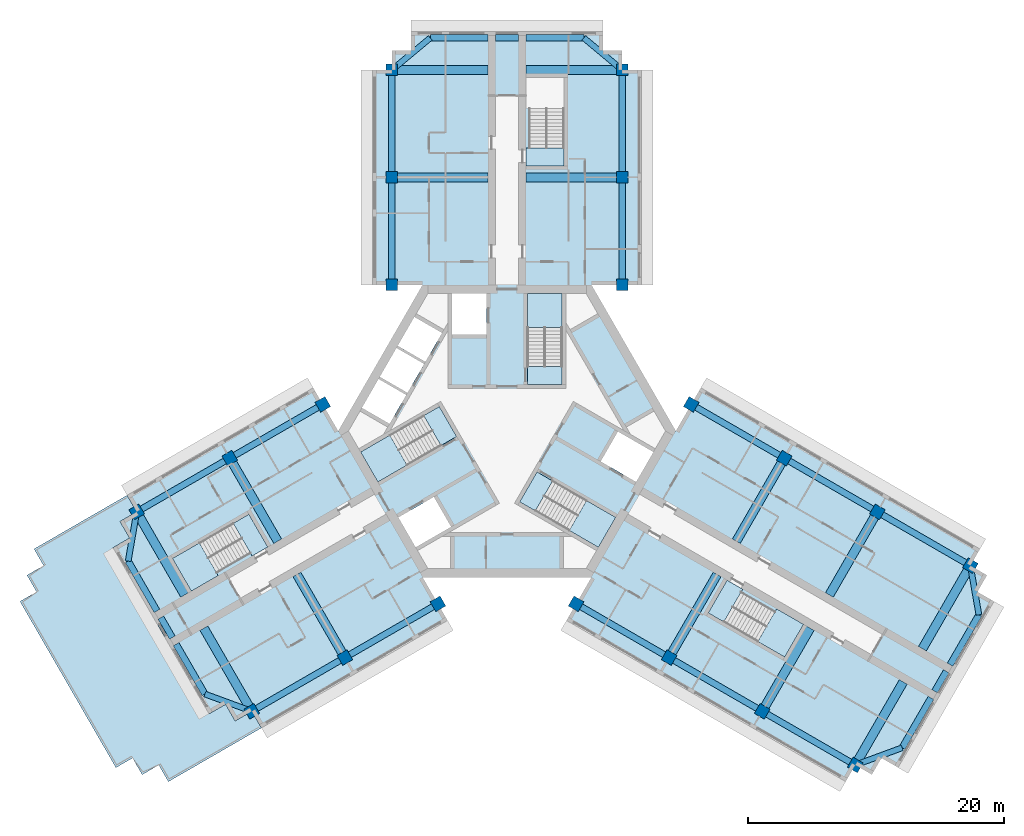
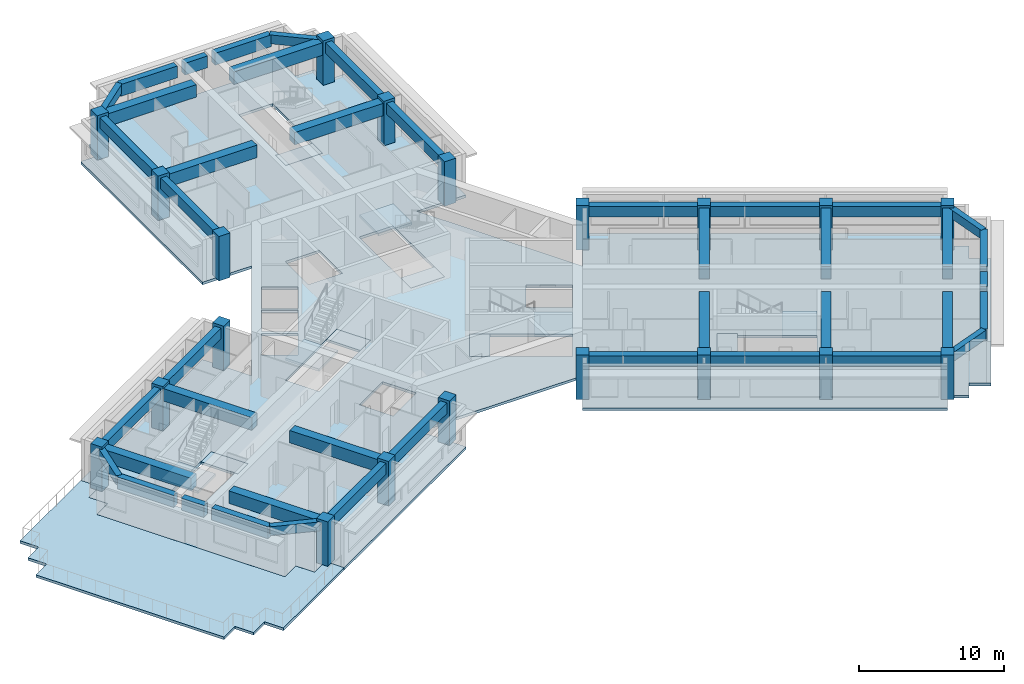
# One storey, part 1 of 11: 43 beams, 20 columns, 13 slabs, 6 elements without a shape of their own.
"""IFC4 building model written with IfcOpenShell, lengths in metres."""

from ifc_helpers import new_model, si_unit, direction, frame, origin, origin_2d, place, context, subcontext, project, spatial, polyline, rectangle, outline, extrude, material, layer, layer_set, material_profile, profile_set, type_object, element, aggregate, save


model = new_model("IFC4")

# Units and contexts
model_context = context("Model", 3, precision=1e-05, world=origin(), true_north=direction((0.0, 1.0)))
body_context = subcontext(model_context, "Body", "Model", "MODEL_VIEW")
ifc_project = project(units=[si_unit("LENGTHUNIT", "METRE"), si_unit("AREAUNIT", "SQUARE_METRE"), si_unit("VOLUMEUNIT", "CUBIC_METRE"), si_unit("PLANEANGLEUNIT", "RADIAN"), si_unit("MASSUNIT", "GRAM", prefix="KILO")], contexts=[model_context])

# Site, building, storey
site_placement = place(None, origin())
site = spatial("IfcSite", under=ifc_project, at=site_placement, CompositionType="ELEMENT")
building_placement = place(site_placement, origin())
building = spatial("IfcBuilding", under=site, at=building_placement, Name="Impinga Residences", CompositionType="ELEMENT")
storey_placement = place(building_placement, frame((0.0, 0.0, 218.5)))
storey = spatial("IfcBuildingStorey", under=building, at=storey_placement, Name="L54", CompositionType="ELEMENT", Elevation=218.5)

# Columns
ifc_material_1 = material(Name="Concrete C60/75", Category="concrete")
ifc_material_profile_1 = material_profile(ifc_material_1, rectangle(XDim=0.89990234375, YDim=0.89990234375, at=origin_2d()), Name="RC 900x900")
ifc_profile_set_1 = profile_set([ifc_material_profile_1], Name="Concrete C60/75")
column_type = type_object("IfcColumnType", Name="C4 900x900 column", PredefinedType="COLUMN", material=ifc_profile_set_1)
for number, where, z_axis, x_axis, name in (
    (1, (-9.0, 11.431640625, 0.0), (0.0, 0.0, 1.0), (1.0, 0.0, 0.0), "Column C4 N1/NA L54"),
    (2, (9.0, 11.431640625, 0.0), (0.0, 0.0, 1.0), (1.0, 0.0, 0.0), "Column C4 N1/NF L54"),
    (3, (-9.0, 19.83154296875, 0.0), (0.0, 0.0, 1.0), (1.0, 0.0, 0.0), "Column C4 N2/NA L54"),
    (4, (9.0, 19.83154296875, 0.0), (0.0, 0.0, 1.0), (1.0, 0.0, 0.0), "Column C4 N2/NF L54"),
    (5, (-9.0, 28.2314453125, 0.0), (0.0, 0.0, 1.0), (1.0, 0.0, 0.0), "Column C4 N3/NA L54"),
    (6, (9.0, 28.2314453125, 0.0), (0.0, 0.0, 1.0), (1.0, 0.0, 0.0), "Column C4 N3/NF L54"),
    (7, (-5.39990234375, -13.510009765625, 0.0), (0.0, 0.0, 1.0), (-0.5, 0.866025403784, 0.0), "Column C4 W1/WA L54"),
    (8, (-14.39990234375, 2.078369140625, 0.0), (0.0, 0.0, 1.0), (-0.5, 0.866025403784, 0.0), "Column C4 W1/WF L54"),
    (9, (-12.674560546875, -17.7099609375, 0.0), (0.0, 0.0, 1.0), (-0.5, 0.866025403784, 0.0), "Column C4 W2/WA L54"),
    (10, (-21.674560546875, -2.12158203125, 0.0), (0.0, 0.0, 1.0), (-0.5, 0.866025403784, 0.0), "Column C4 W2/WF L54"),
    (11, (-19.94921875, -21.909912109375, 0.0), (0.0, 0.0, 1.0), (-0.5, 0.866025403784, 0.0), "Column C4 W3/WA L54"),
    (12, (-28.94921875, -6.321533203125, 0.0), (0.0, 0.0, 1.0), (-0.5, 0.866025403784, 0.0), "Column C4 W3/WF L54"),
    (13, (14.39990234375, 2.078369140625, 0.0), (0.0, 0.0, 1.0), (-0.5, -0.866025403784, 0.0), "Column C4 E1/EA L54"),
    (14, (5.39990234375, -13.510009765625, 0.0), (0.0, 0.0, 1.0), (-0.5, -0.866025403784, 0.0), "Column C4 E1/EF L54"),
    (15, (21.674560546875, -2.12158203125, 0.0), (0.0, 0.0, 1.0), (-0.5, -0.866025403784, 0.0), "Column C4 E2/EA L54"),
    (16, (12.674560546875, -17.7099609375, 0.0), (0.0, 0.0, 1.0), (-0.5, -0.866025403784, 0.0), "Column C4 E2/EF L54"),
    (17, (28.94921875, -6.321533203125, 0.0), (0.0, 0.0, 1.0), (-0.5, -0.866025403784, 0.0), "Column C4 E3/EA L54"),
    (18, (19.94921875, -21.909912109375, 0.0), (0.0, 0.0, 1.0), (-0.5, -0.866025403784, 0.0), "Column C4 E3/EF L54"),
    (19, (36.223876953125, -10.521484375, 0.0), (0.0, 0.0, 1.0), (-0.5, -0.866025403784, 0.0), "Column C4 E4/EA L54"),
    (20, (27.223876953125, -26.110107421875, 0.0), (0.0, 0.0, 1.0), (-0.5, -0.866025403784, 0.0), "Column C4 E4/EF L54"),
):
    element("IfcColumn", number, at=place(storey_placement, frame(where, z_axis=z_axis, x_axis=x_axis)), inside=storey, type_object=column_type, Name=name, PredefinedType="COLUMN", context=body_context, shape_type="SweptSolid", body=[
        extrude(rectangle(XDim=0.89990234375, YDim=0.89990234375, at=origin_2d()), origin(), (0.0, 0.0, 1.0), 3.75),
    ])

# Beams
ifc_material_profile_2 = material_profile(ifc_material_1, rectangle(XDim=0.449951171875, YDim=0.75, at=origin_2d()), Name="RC 450x750")
ifc_profile_set_2 = profile_set([ifc_material_profile_2], Name="Concrete C60/75")
beam_type_1 = type_object("IfcBeamType", Name="CB1 450x750 wing end cantilever beam", PredefinedType="BEAM", material=ifc_profile_set_2)
for number, where, z_axis, x_axis, name in (
    (21, (-9.0, 28.2314453125, 3.155029296875), (0.768221279597, 0.640184399664, 0.0), (-0.640184399664, 0.768221279597, 0.0), "Beam CB1 NB N3-NX level L55"),
    (22, (9.0, 28.2314453125, 3.155029296875), (-0.768221279597, 0.640184399664, 0.0), (-0.640184399664, -0.768221279597, 0.0), "Beam CB1 NE N3-NX level L55"),
    (23, (-19.94921875, -21.909912109375, 3.155029296875), (-0.93854043338, 0.345169313396, 0.0), (-0.345169313396, -0.93854043338, 0.0), "Beam CB1 WB W3-WX level L55"),
):
    element("IfcBeam", number, at=place(storey_placement, frame(where, z_axis=z_axis, x_axis=x_axis)), inside=storey, type_object=beam_type_1, Name=name, PredefinedType="BEAM", context=body_context, shape_type="SweptSolid", body=[
        extrude(rectangle(XDim=0.449951171875, YDim=0.75, at=origin_2d()), origin(), (0.0, 0.0, 1.0), 3.905029296875),
    ])
for number, where, z_axis, x_axis, name in (
    (24, (-28.94921875, -6.321533203125, 3.155029296875), (-0.170296298948, -0.985392901621, 0.0), (0.985392901621, -0.170296298948, 0.0), "Beam CB1 WE W3-WX level L55"),
    (25, (36.223876953125, -10.521484375, 3.155029296875), (0.170296298948, -0.985392901621, 0.0), (0.985392901621, 0.170296298948, 0.0), "Beam CB1 EB E4-EX level L55"),
):
    element("IfcBeam", number, at=place(storey_placement, frame(where, z_axis=z_axis, x_axis=x_axis)), inside=storey, type_object=beam_type_1, Name=name, PredefinedType="BEAM", context=body_context, shape_type="SweptSolid", body=[
        extrude(rectangle(XDim=0.449951171875, YDim=0.75, at=origin_2d()), origin(), (0.0, 0.0, 1.0), 3.9052734375),
    ])
beam_1_placement = place(storey_placement, frame((27.223876953125, -26.110107421875, 3.155029296875), z_axis=(0.938520178725, 0.345224382289, 0.0), x_axis=(-0.345224382289, 0.938520178725, 0.0)))
element("IfcBeam", 26, at=beam_1_placement, inside=storey, type_object=beam_type_1, Name="Beam CB1 EE E4-EX level L55", PredefinedType="BEAM", context=body_context, shape_type="SweptSolid", body=[
    extrude(rectangle(XDim=0.449951171875, YDim=0.75, at=origin_2d()), origin(), (0.0, 0.0, 1.0), 3.905029296875),
])
ifc_material_profile_3 = material_profile(ifc_material_1, rectangle(XDim=0.699951171875, YDim=1.050048828125, at=origin_2d()), Name="RC 700x1050")
ifc_profile_set_3 = profile_set([ifc_material_profile_3], Name="Concrete C60/75")
beam_type_2 = type_object("IfcBeamType", Name="CG1 700x1050 cross girder on a wing bay line", PredefinedType="BEAM", material=ifc_profile_set_3)
for number, where, z_axis, x_axis, name in (
    (27, (-1.5, 19.83154296875, 3.0048828125), (-1.0, 0.0, 0.0), (0.0, -1.0, 0.0), "Beam CG1 N2 NC/NA level L55"),
    (28, (-1.5, 28.2314453125, 3.0048828125), (-1.0, 0.0, 0.0), (0.0, -1.0, 0.0), "Beam CG1 N3 NC/NA level L55"),
    (29, (1.5, 19.83154296875, 3.0048828125), (1.0, 0.0, 0.0), (0.0, 1.0, 0.0), "Beam CG1 N2 NC/NF level L55"),
    (30, (1.5, 28.2314453125, 3.0048828125), (1.0, 0.0, 0.0), (0.0, 1.0, 0.0), "Beam CG1 N3 NC/NF level L55"),
    (31, (-16.424560546875, -11.21484375, 3.0048828125), (0.500004234368, -0.866022959057, 0.0), (0.866022959057, 0.500004234368, 0.0), "Beam CG1 W2 WC/WA level L55"),
    (32, (-23.69921875, -15.414794921875, 3.0048828125), (0.500004234368, -0.866022959057, 0.0), (0.866022959057, 0.500004234368, 0.0), "Beam CG1 W3 WC/WA level L55"),
    (33, (-17.924560546875, -8.61669921875, 3.0048828125), (-0.500004234368, 0.866022959057, 0.0), (-0.866022959057, -0.500004234368, 0.0), "Beam CG1 W2 WC/WF level L55"),
    (34, (-25.19921875, -12.816650390625, 3.0048828125), (-0.500004234368, 0.866022959057, 0.0), (-0.866022959057, -0.500004234368, 0.0), "Beam CG1 W3 WC/WF level L55"),
    (35, (17.924560546875, -8.61669921875, 3.0048828125), (0.500004234368, 0.866022959057, 0.0), (-0.866022959057, 0.500004234368, 0.0), "Beam CG1 E2 EC/EA level L55"),
    (36, (25.19921875, -12.816650390625, 3.0048828125), (0.500004234368, 0.866022959057, 0.0), (-0.866022959057, 0.500004234368, 0.0), "Beam CG1 E3 EC/EA level L55"),
):
    element("IfcBeam", number, at=place(storey_placement, frame(where, z_axis=z_axis, x_axis=x_axis)), inside=storey, type_object=beam_type_2, Name=name, PredefinedType="BEAM", context=body_context, shape_type="SweptSolid", body=[
        extrude(rectangle(XDim=0.699951171875, YDim=1.050048828125, at=origin_2d()), origin(), (0.0, 0.0, 1.0), 7.5),
    ])
beam_2_placement = place(storey_placement, frame((32.473876953125, -17.016845703125, 3.0048828125), z_axis=(0.499990139034, 0.866031096941, 0.0), x_axis=(-0.866031096941, 0.499990139034, 0.0)))
element("IfcBeam", 37, at=beam_2_placement, inside=storey, type_object=beam_type_2, Name="Beam CG1 E4 EC/EA level L55", PredefinedType="BEAM", context=body_context, shape_type="SweptSolid", body=[
    extrude(rectangle(XDim=0.699951171875, YDim=1.050048828125, at=origin_2d()), origin(), (0.0, 0.0, 1.0), 7.500244140625),
])
for number, where, z_axis, x_axis, name in (
    (38, (16.424560546875, -11.21484375, 3.0048828125), (-0.500004234368, -0.866022959057, 0.0), (0.866022959057, -0.500004234368, 0.0), "Beam CG1 E2 EC/EF level L55"),
    (39, (23.69921875, -15.414794921875, 3.0048828125), (-0.500004234368, -0.866022959057, 0.0), (0.866022959057, -0.500004234368, 0.0), "Beam CG1 E3 EC/EF level L55"),
):
    element("IfcBeam", number, at=place(storey_placement, frame(where, z_axis=z_axis, x_axis=x_axis)), inside=storey, type_object=beam_type_2, Name=name, PredefinedType="BEAM", context=body_context, shape_type="SweptSolid", body=[
        extrude(rectangle(XDim=0.699951171875, YDim=1.050048828125, at=origin_2d()), origin(), (0.0, 0.0, 1.0), 7.5),
    ])
beam_3_placement = place(storey_placement, frame((30.973876953125, -19.61474609375, 3.0048828125), z_axis=(-0.499990139034, -0.866031096941, 0.0), x_axis=(0.866031096941, -0.499990139034, 0.0)))
element("IfcBeam", 40, at=beam_3_placement, inside=storey, type_object=beam_type_2, Name="Beam CG1 E4 EC/EF level L55", PredefinedType="BEAM", context=body_context, shape_type="SweptSolid", body=[
    extrude(rectangle(XDim=0.699951171875, YDim=1.050048828125, at=origin_2d()), origin(), (0.0, 0.0, 1.0), 7.500244140625),
])
ifc_material_profile_4 = material_profile(ifc_material_1, rectangle(XDim=0.5, YDim=1.0, at=origin_2d()), Name="RC 500x1000")
ifc_profile_set_4 = profile_set([ifc_material_profile_4], Name="Concrete C60/75")
beam_type_3 = type_object("IfcBeamType", Name="EB1 500x1000 wing end beam", PredefinedType="BEAM", material=ifc_profile_set_4)
beam_4_placement = place(storey_placement, frame((-6.0, 30.7314453125, 3.030029296875), z_axis=(1.0, 0.0, 0.0), x_axis=(0.0, 1.0, 0.0)))
element("IfcBeam", 41, at=beam_4_placement, inside=storey, type_object=beam_type_3, Name="Beam EB1 NX2 level L55", PredefinedType="BEAM", context=body_context, shape_type="SweptSolid", body=[
    extrude(rectangle(XDim=0.5, YDim=1.0, at=origin_2d()), origin(), (0.0, 0.0, 1.0), 4.5),
])
beam_5_placement = place(storey_placement, frame((-0.89990234375, 30.7314453125, 3.030029296875), z_axis=(1.0, 0.0, 0.0), x_axis=(0.0, 1.0, 0.0)))
element("IfcBeam", 42, at=beam_5_placement, inside=storey, type_object=beam_type_3, Name="Beam EB1 NX2 level L55", PredefinedType="BEAM", context=body_context, shape_type="SweptSolid", body=[
    extrude(rectangle(XDim=0.5, YDim=1.0, at=origin_2d()), origin(), (0.0, 0.0, 1.0), 1.7998046875),
])
for number, where, z_axis, x_axis, name in (
    (43, (1.5, 30.7314453125, 3.030029296875), (1.0, 0.0, 0.0), (0.0, 1.0, 0.0), "Beam EB1 NX2 level L55"),
    (44, (-23.6142578125, -20.56201171875, 3.030029296875), (-0.499990139034, 0.866031096941, 0.0), (-0.866031096941, -0.499990139034, 0.0), "Beam EB1 WX2 level L55"),
):
    element("IfcBeam", number, at=place(storey_placement, frame(where, z_axis=z_axis, x_axis=x_axis)), inside=storey, type_object=beam_type_3, Name=name, PredefinedType="BEAM", context=body_context, shape_type="SweptSolid", body=[
        extrude(rectangle(XDim=0.5, YDim=1.0, at=origin_2d()), origin(), (0.0, 0.0, 1.0), 4.5),
    ])
beam_6_placement = place(storey_placement, frame((-26.164306640625, -16.145263671875, 3.030029296875), z_axis=(-0.499961193289, 0.866047807691, 0.0), x_axis=(-0.866047807691, -0.499961193289, 0.0)))
element("IfcBeam", 45, at=beam_6_placement, inside=storey, type_object=beam_type_3, Name="Beam EB1 WX2 level L55", PredefinedType="BEAM", context=body_context, shape_type="SweptSolid", body=[
    extrude(rectangle(XDim=0.5, YDim=1.0, at=origin_2d()), origin(), (0.0, 0.0, 1.0), 1.800048828125),
])
beam_7_placement = place(storey_placement, frame((-27.3642578125, -14.066650390625, 3.030029296875), z_axis=(-0.500013631625, 0.866017533419, 0.0), x_axis=(-0.866017533419, -0.500013631625, 0.0)))
element("IfcBeam", 46, at=beam_7_placement, inside=storey, type_object=beam_type_3, Name="Beam EB1 WX2 level L55", PredefinedType="BEAM", context=body_context, shape_type="SweptSolid", body=[
    extrude(rectangle(XDim=0.5, YDim=1.0, at=origin_2d()), origin(), (0.0, 0.0, 1.0), 4.499755859375),
])
beam_8_placement = place(storey_placement, frame((36.888916015625, -14.36962890625, 3.030029296875), z_axis=(-0.499990139034, -0.866031096941, 0.0), x_axis=(0.866031096941, -0.499990139034, 0.0)))
element("IfcBeam", 47, at=beam_8_placement, inside=storey, type_object=beam_type_3, Name="Beam EB1 EX3 level L55", PredefinedType="BEAM", context=body_context, shape_type="SweptSolid", body=[
    extrude(rectangle(XDim=0.5, YDim=1.0, at=origin_2d()), origin(), (0.0, 0.0, 1.0), 4.5),
])
beam_9_placement = place(storey_placement, frame((34.3388671875, -18.786376953125, 3.030029296875), z_axis=(-0.499961193289, -0.866047807691, 0.0), x_axis=(0.866047807691, -0.499961193289, 0.0)))
element("IfcBeam", 48, at=beam_9_placement, inside=storey, type_object=beam_type_3, Name="Beam EB1 EX3 level L55", PredefinedType="BEAM", context=body_context, shape_type="SweptSolid", body=[
    extrude(rectangle(XDim=0.5, YDim=1.0, at=origin_2d()), origin(), (0.0, 0.0, 1.0), 1.800048828125),
])
beam_10_placement = place(storey_placement, frame((33.138916015625, -20.86474609375, 3.030029296875), z_axis=(-0.499990139034, -0.866031096941, 0.0), x_axis=(0.866031096941, -0.499990139034, 0.0)))
element("IfcBeam", 49, at=beam_10_placement, inside=storey, type_object=beam_type_3, Name="Beam EB1 EX3 level L55", PredefinedType="BEAM", context=body_context, shape_type="SweptSolid", body=[
    extrude(rectangle(XDim=0.5, YDim=1.0, at=origin_2d()), origin(), (0.0, 0.0, 1.0), 4.5),
])
ifc_material_profile_5 = material_profile(ifc_material_1, rectangle(XDim=0.5, YDim=0.89990234375, at=origin_2d()), Name="RC 500x900")
ifc_profile_set_5 = profile_set([ifc_material_profile_5], Name="Concrete C60/75")
beam_type_4 = type_object("IfcBeamType", Name="SB1 500x900 perimeter spandrel beam", PredefinedType="SPANDREL", material=ifc_profile_set_5)
for number, where, z_axis, x_axis, name in (
    (50, (-9.0, 11.431640625, 3.080078125), (0.0, 1.0, 0.0), (-1.0, 0.0, 0.0), "Beam SB1 NA N1-N2 level L55"),
    (51, (-9.0, 19.83154296875, 3.080078125), (0.0, 1.0, 0.0), (-1.0, 0.0, 0.0), "Beam SB1 NA N2-N3 level L55"),
    (52, (9.0, 11.431640625, 3.080078125), (0.0, 1.0, 0.0), (-1.0, 0.0, 0.0), "Beam SB1 NF N1-N2 level L55"),
    (53, (9.0, 19.83154296875, 3.080078125), (0.0, 1.0, 0.0), (-1.0, 0.0, 0.0), "Beam SB1 NF N2-N3 level L55"),
    (54, (-5.39990234375, -13.510009765625, 3.080078125), (-0.86602925447, -0.499993330357, 0.0), (0.499993330357, -0.86602925447, 0.0), "Beam SB1 WA W1-W2 level L55"),
    (55, (-12.674560546875, -17.7099609375, 3.080078125), (-0.86602925447, -0.499993330357, 0.0), (0.499993330357, -0.86602925447, 0.0), "Beam SB1 WA W2-W3 level L55"),
    (56, (-14.39990234375, 2.078369140625, 3.080078125), (-0.86602925447, -0.499993330357, 0.0), (0.499993330357, -0.86602925447, 0.0), "Beam SB1 WF W1-W2 level L55"),
    (57, (-21.674560546875, -2.12158203125, 3.080078125), (-0.86602925447, -0.499993330357, 0.0), (0.499993330357, -0.86602925447, 0.0), "Beam SB1 WF W2-W3 level L55"),
    (58, (14.39990234375, 2.078369140625, 3.080078125), (0.86602925447, -0.499993330357, 0.0), (0.499993330357, 0.86602925447, 0.0), "Beam SB1 EA E1-E2 level L55"),
    (59, (21.674560546875, -2.12158203125, 3.080078125), (0.86602925447, -0.499993330357, 0.0), (0.499993330357, 0.86602925447, 0.0), "Beam SB1 EA E2-E3 level L55"),
    (60, (28.94921875, -6.321533203125, 3.080078125), (0.86602925447, -0.499993330357, 0.0), (0.499993330357, 0.86602925447, 0.0), "Beam SB1 EA E3-E4 level L55"),
    (61, (5.39990234375, -13.510009765625, 3.080078125), (0.86602925447, -0.499993330357, 0.0), (0.499993330357, 0.86602925447, 0.0), "Beam SB1 EF E1-E2 level L55"),
    (62, (12.674560546875, -17.7099609375, 3.080078125), (0.86602925447, -0.499993330357, 0.0), (0.499993330357, 0.86602925447, 0.0), "Beam SB1 EF E2-E3 level L55"),
):
    element("IfcBeam", number, at=place(storey_placement, frame(where, z_axis=z_axis, x_axis=x_axis)), inside=storey, type_object=beam_type_4, Name=name, PredefinedType="SPANDREL", context=body_context, shape_type="SweptSolid", body=[
        extrude(rectangle(XDim=0.5, YDim=0.89990234375, at=origin_2d()), origin(), (0.0, 0.0, 1.0), 8.39990234375),
    ])
beam_11_placement = place(storey_placement, frame((19.94921875, -21.909912109375, 3.080078125), z_axis=(0.866016669275, -0.500015128309, 0.0), x_axis=(0.500015128309, 0.866016669275, 0.0)))
element("IfcBeam", 63, at=beam_11_placement, inside=storey, type_object=beam_type_4, Name="Beam SB1 EF E3-E4 level L55", PredefinedType="SPANDREL", context=body_context, shape_type="SweptSolid", body=[
    extrude(rectangle(XDim=0.5, YDim=0.89990234375, at=origin_2d()), origin(), (0.0, 0.0, 1.0), 8.400146484375),
])

# Slab
ifc_layer_1 = layer(ifc_material_1, 0.219970703125)
ifc_layer_set_1 = layer_set([ifc_layer_1], Name="Concrete C60/75")
slab_type_1 = type_object("IfcSlabType", Name="FS1 tower floor slab 220", PredefinedType="FLOOR", material=ifc_layer_set_1)
slab_1_placement = place(storey_placement, frame((0.0, 0.0, -0.219970703125)))
element("IfcSlab", 64, at=slab_1_placement, inside=storey, type_object=slab_type_1, Name="Floor slab FS1 L54", PredefinedType="FLOOR", context=body_context, shape_type="SweptSolid", body=[
    extrude(outline(polyline([(36.223876953125, -10.521484375), (37.52294921875, -11.271484375), (36.77294921875, -12.570556640625), (38.072021484375, -13.320556640625), (30.572021484375, -26.31103515625), (29.27294921875, -25.56103515625), (28.52294921875, -26.860107421875), (27.223876953125, -26.110107421875), (26.473876953125, -27.408935546875), (4.64990234375, -14.80908203125), (9.900146484375, -5.7158203125), (6.60009765625, -11.431640625), (-6.60009765625, -11.431640625), (-9.900146484375, -5.7158203125), (-4.64990234375, -14.80908203125), (-19.19921875, -23.208984375), (-19.94921875, -21.909912109375), (-21.248291015625, -22.659912109375), (-21.998291015625, -21.36083984375), (-23.29736328125, -22.11083984375), (-30.79736328125, -9.12060546875), (-29.498291015625, -8.37060546875), (-30.248291015625, -7.071533203125), (-28.94921875, -6.321533203125), (-29.69921875, -5.0224609375), (-15.14990234375, 3.37744140625), (-13.199951171875, 0.0), (-6.60009765625, 11.431640625), (-10.5, 11.431640625), (-10.5, 28.2314453125), (-9.0, 28.2314453125), (-9.0, 29.7314453125), (-7.5, 29.7314453125), (-7.5, 31.2314453125), (7.5, 31.2314453125), (7.5, 29.7314453125), (9.0, 29.7314453125), (9.0, 28.2314453125), (10.5, 28.2314453125), (10.5, 11.431640625), (6.60009765625, 11.431640625), (13.199951171875, 0.0), (15.14990234375, 3.37744140625), (36.973876953125, -9.222412109375), (36.223876953125, -10.521484375)]), holes=[polyline([(-18.7041015625, -9.066650390625), (-18.8291015625, -8.850341796875), (-18.8291015625, -8.850341796875), (-20.178955078125, -6.511962890625), (-21.391357421875, -7.2119140625), (-21.391357421875, -7.2119140625), (-26.154541015625, -9.9619140625), (-24.8046875, -12.30029296875), (-20.04150390625, -9.55029296875), (-19.91650390625, -9.766845703125), (-18.7041015625, -9.066650390625)]), polyline([(-5.72119140625, -5.150634765625), (-8.493896484375, -6.75146484375), (-7.143798828125, -9.089599609375), (-4.37109375, -7.489013671875), (-5.72119140625, -5.150634765625)]), polyline([(-5.293701171875, 1.908935546875), (-11.44384765625, -1.641845703125), (-10.09375, -3.980224609375), (-3.943603515625, -0.429443359375), (-5.293701171875, 1.908935546875)]), polyline([(-7.878662109375, 2.816650390625), (-10.043701171875, 4.066650390625), (-11.34375, 1.81494140625), (-9.1787109375, 0.56494140625), (-7.878662109375, 2.816650390625)]), polyline([(-6.478759765625, 5.24169921875), (-8.643798828125, 6.49169921875), (-9.94384765625, 4.239990234375), (-7.77880859375, 2.989990234375), (-6.478759765625, 5.24169921875)]), polyline([(-6.378662109375, 5.414794921875), (-5.07861328125, 7.66650390625), (-7.243896484375, 8.91650390625), (-8.543701171875, 6.664794921875), (-6.378662109375, 5.414794921875)]), polyline([(-4.300048828125, 7.530029296875), (-1.60009765625, 7.530029296875), (-1.60009765625, 10.7314453125), (-4.300048828125, 10.7314453125), (-4.300048828125, 7.530029296875)]), polyline([(15.72900390625, -14.219482421875), (21.70458984375, -17.669677734375), (23.0546875, -15.331298828125), (18.29150390625, -12.581298828125), (18.41650390625, -12.36474609375), (17.2041015625, -11.664794921875), (15.72900390625, -14.219482421875)]), polyline([(0.99365234375, -5.538818359375), (7.143798828125, -9.089599609375), (8.493896484375, -6.75146484375), (2.34375, -3.20068359375), (0.99365234375, -5.538818359375)]), polyline([(7.3212890625, -2.37939453125), (10.09375, -3.980224609375), (11.44384765625, -1.641845703125), (8.671142578125, -0.041015625), (7.3212890625, -2.37939453125)]), polyline([(4.300048828125, 3.6298828125), (4.300048828125, 10.7314453125), (1.60009765625, 10.7314453125), (1.60009765625, 3.6298828125), (4.300048828125, 3.6298828125)]), polyline([(1.75, 22.131591796875), (1.5, 22.131591796875), (1.5, 20.7314453125), (1.75, 20.7314453125), (4.449951171875, 20.7314453125), (4.449951171875, 22.131591796875), (4.449951171875, 27.631591796875), (1.75, 27.631591796875), (1.75, 22.131591796875)])]), origin(), (0.0, 0.0, 1.0), 0.219970703125),
])

# Stair, slabs
ifc_material_2 = material(Name="Concrete C40/50", Category="concrete")
stair_type_1 = type_object("IfcStairType", Name="STR core stair 3750 storey, 24 risers", PredefinedType="HALF_TURN_STAIR", material=ifc_material_2)
stair_1_placement = place(storey_placement, origin())
stair_1 = element("IfcStair", 65, at=stair_1_placement, inside=storey, type_object=stair_type_1, Name="Stair ST1 L54", PredefinedType="HALF_TURN_STAIR")
ifc_layer_2 = layer(ifc_material_2, 0.199951171875)
ifc_layer_set_2 = layer_set([ifc_layer_2], Name="Concrete C40/50")
slab_type_2 = type_object("IfcSlabType", Name="LS1 stair landing 200", PredefinedType="LANDING", material=ifc_layer_set_2)
slab_2_placement = place(storey_placement, frame((0.0, 0.0, -0.199951171875)))
slab_2 = element("IfcSlab", 66, at=slab_2_placement, type_object=slab_type_2, Name="ST1 landing 1", PredefinedType="LANDING", context=body_context, shape_type="SweptSolid", body=[
    extrude(outline(polyline([(1.60009765625, 3.6298828125), (4.300048828125, 3.6298828125), (4.300048828125, 5.0400390625), (1.60009765625, 5.0400390625), (1.60009765625, 3.6298828125)])), origin(), (0.0, 0.0, 1.0), 0.199951171875),
])
slab_3_placement = place(storey_placement, frame((0.0, 0.0, 1.675048828125)))
slab_3 = element("IfcSlab", 67, at=slab_3_placement, type_object=slab_type_2, Name="ST1 landing 2", PredefinedType="LANDING", context=body_context, shape_type="SweptSolid", body=[
    extrude(outline(polyline([(1.60009765625, 8.10009765625), (4.300048828125, 8.10009765625), (4.300048828125, 10.7314453125), (1.60009765625, 10.7314453125), (1.60009765625, 8.10009765625)])), origin(), (0.0, 0.0, 1.0), 0.199951171875),
])
aggregate(stair_1, [slab_2, slab_3])

stair_2_placement = place(storey_placement, origin())
stair_2 = element("IfcStair", 68, at=stair_2_placement, inside=storey, type_object=stair_type_1, Name="Stair ST2 L54", PredefinedType="HALF_TURN_STAIR")
slab_4_placement = place(storey_placement, frame((0.0, 0.0, -0.199951171875)))
slab_4 = element("IfcSlab", 69, at=slab_4_placement, type_object=slab_type_2, Name="ST2 landing 1", PredefinedType="LANDING", context=body_context, shape_type="SweptSolid", body=[
    extrude(outline(polyline([(-3.943603515625, -0.429443359375), (-5.293701171875, 1.908935546875), (-6.5146484375, 1.203857421875), (-5.164794921875, -1.13427734375), (-3.943603515625, -0.429443359375)])), origin(), (0.0, 0.0, 1.0), 0.199951171875),
])
slab_5_placement = place(storey_placement, frame((0.0, 0.0, 1.675048828125)))
slab_5 = element("IfcSlab", 70, at=slab_5_placement, type_object=slab_type_2, Name="ST2 landing 2", PredefinedType="LANDING", context=body_context, shape_type="SweptSolid", body=[
    extrude(outline(polyline([(-7.814697265625, -2.664306640625), (-9.164794921875, -0.326171875), (-11.44384765625, -1.641845703125), (-10.09375, -3.980224609375), (-7.814697265625, -2.664306640625)])), origin(), (0.0, 0.0, 1.0), 0.199951171875),
])
aggregate(stair_2, [slab_4, slab_5])

stair_3_placement = place(storey_placement, origin())
stair_3 = element("IfcStair", 71, at=stair_3_placement, inside=storey, type_object=stair_type_1, Name="Stair ST3 L54", PredefinedType="HALF_TURN_STAIR")
slab_6_placement = place(storey_placement, frame((0.0, 0.0, -0.199951171875)))
slab_6 = element("IfcSlab", 72, at=slab_6_placement, type_object=slab_type_2, Name="ST3 landing 1", PredefinedType="LANDING", context=body_context, shape_type="SweptSolid", body=[
    extrude(outline(polyline([(2.34375, -3.20068359375), (0.99365234375, -5.538818359375), (2.21484375, -6.243896484375), (3.564697265625, -3.90576171875), (2.34375, -3.20068359375)])), origin(), (0.0, 0.0, 1.0), 0.199951171875),
])
slab_7_placement = place(storey_placement, frame((0.0, 0.0, 1.675048828125)))
slab_7 = element("IfcSlab", 73, at=slab_7_placement, type_object=slab_type_2, Name="ST3 landing 2", PredefinedType="LANDING", context=body_context, shape_type="SweptSolid", body=[
    extrude(outline(polyline([(6.21484375, -5.435546875), (4.86474609375, -7.77392578125), (7.143798828125, -9.089599609375), (8.493896484375, -6.75146484375), (6.21484375, -5.435546875)])), origin(), (0.0, 0.0, 1.0), 0.199951171875),
])
aggregate(stair_3, [slab_6, slab_7])

# Stair, slab
stair_type_2 = type_object("IfcStairType", Name="STR wing stair 3750 storey, 24 risers", PredefinedType="HALF_TURN_STAIR", material=ifc_material_2)
stair_4_placement = place(storey_placement, origin())
stair_4 = element("IfcStair", 74, at=stair_4_placement, inside=storey, type_object=stair_type_2, Name="Stair WS1 L54", PredefinedType="HALF_TURN_STAIR")
slab_8_placement = place(storey_placement, frame((0.0, 0.0, -0.199951171875)))
slab_8 = element("IfcSlab", 75, at=slab_8_placement, type_object=slab_type_2, Name="WS1 landing 1", PredefinedType="LANDING", context=body_context, shape_type="SweptSolid", body=[
    extrude(outline(polyline([(1.5, 20.7314453125), (4.449951171875, 20.7314453125), (4.449951171875, 22.1416015625), (1.5, 22.1416015625), (1.5, 20.7314453125)])), origin(), (0.0, 0.0, 1.0), 0.199951171875),
])
aggregate(stair_4, [slab_8])

# Stair, slabs
stair_5_placement = place(storey_placement, origin())
stair_5 = element("IfcStair", 76, at=stair_5_placement, inside=storey, type_object=stair_type_2, Name="Stair WS2 L54", PredefinedType="HALF_TURN_STAIR")
slab_9_placement = place(storey_placement, frame((0.0, 0.0, -0.199951171875)))
slab_9 = element("IfcSlab", 77, at=slab_9_placement, type_object=slab_type_2, Name="WS2 landing 1", PredefinedType="LANDING", context=body_context, shape_type="SweptSolid", body=[
    extrude(outline(polyline([(-18.7041015625, -9.066650390625), (-20.178955078125, -6.511962890625), (-21.400146484375, -7.217041015625), (-19.925048828125, -9.771728515625), (-18.7041015625, -9.066650390625)])), origin(), (0.0, 0.0, 1.0), 0.199951171875),
])
slab_10_placement = place(storey_placement, frame((0.0, 0.0, 1.675048828125)))
slab_10 = element("IfcSlab", 78, at=slab_10_placement, type_object=slab_type_2, Name="WS2 landing 2", PredefinedType="LANDING", context=body_context, shape_type="SweptSolid", body=[
    extrude(outline(polyline([(-22.5751953125, -11.3017578125), (-24.050048828125, -8.7470703125), (-26.154541015625, -9.9619140625), (-24.6796875, -12.516845703125), (-22.5751953125, -11.3017578125)])), origin(), (0.0, 0.0, 1.0), 0.199951171875),
])
aggregate(stair_5, [slab_9, slab_10])

stair_6_placement = place(storey_placement, origin())
stair_6 = element("IfcStair", 79, at=stair_6_placement, inside=storey, type_object=stair_type_2, Name="Stair WS3 L54", PredefinedType="HALF_TURN_STAIR")
slab_11_placement = place(storey_placement, frame((0.0, 0.0, -0.199951171875)))
slab_11 = element("IfcSlab", 80, at=slab_11_placement, type_object=slab_type_2, Name="WS3 landing 1", PredefinedType="LANDING", context=body_context, shape_type="SweptSolid", body=[
    extrude(outline(polyline([(17.2041015625, -11.664794921875), (15.72900390625, -14.219482421875), (16.9501953125, -14.924560546875), (18.425048828125, -12.369873046875), (17.2041015625, -11.664794921875)])), origin(), (0.0, 0.0, 1.0), 0.199951171875),
])
slab_12_placement = place(storey_placement, frame((0.0, 0.0, 1.675048828125)))
slab_12 = element("IfcSlab", 81, at=slab_12_placement, type_object=slab_type_2, Name="WS3 landing 2", PredefinedType="LANDING", context=body_context, shape_type="SweptSolid", body=[
    extrude(outline(polyline([(21.0751953125, -13.89990234375), (19.60009765625, -16.45458984375), (21.70458984375, -17.669677734375), (23.1796875, -15.11474609375), (21.0751953125, -13.89990234375)])), origin(), (0.0, 0.0, 1.0), 0.199951171875),
])
aggregate(stair_6, [slab_11, slab_12])

# Slab
ifc_layer_3 = layer(ifc_material_1, 0.219970703125)
ifc_layer_set_3 = layer_set([ifc_layer_3], Name="Concrete C60/75")
slab_type_3 = type_object("IfcSlabType", Name="TS2 setback terrace slab 220", PredefinedType="ROOF", material=ifc_layer_set_3)
slab_13_placement = place(storey_placement, frame((0.0, 0.0, -0.219970703125)))
element("IfcSlab", 82, at=slab_13_placement, inside=storey, type_object=slab_type_3, Name="Maintenance roof TS2 L54", PredefinedType="ROOF", context=body_context, shape_type="SweptSolid", body=[
    extrude(outline(polyline([(-27.223876953125, -26.110107421875), (-28.52294921875, -26.860107421875), (-29.27294921875, -25.56103515625), (-30.572021484375, -26.31103515625), (-38.072021484375, -13.320556640625), (-36.77294921875, -12.570556640625), (-37.52294921875, -11.271484375), (-36.223876953125, -10.521484375), (-36.973876953125, -9.222412109375), (-29.7001953125, -5.02294921875), (-28.95068359375, -6.3212890625), (-30.248779296875, -7.070556640625), (-30.248779296875, -7.07080078125), (-30.2490234375, -7.07080078125), (-30.2490234375, -7.07080078125), (-30.2490234375, -7.071044921875), (-30.2490234375, -7.071044921875), (-30.249267578125, -7.071044921875), (-30.249267578125, -7.0712890625), (-30.249267578125, -7.0712890625), (-30.249267578125, -7.0712890625), (-30.249267578125, -7.071533203125), (-30.249267578125, -7.071533203125), (-30.249267578125, -7.07177734375), (-30.249267578125, -7.07177734375), (-30.249267578125, -7.07177734375), (-30.249267578125, -7.072021484375), (-30.2490234375, -7.072021484375), (-29.49951171875, -8.3701171875), (-30.7978515625, -9.11962890625), (-30.7978515625, -9.119873046875), (-30.7978515625, -9.119873046875), (-30.798095703125, -9.119873046875), (-30.798095703125, -9.119873046875), (-30.798095703125, -9.1201171875), (-30.798095703125, -9.1201171875), (-30.79833984375, -9.1201171875), (-30.79833984375, -9.120361328125), (-30.79833984375, -9.120361328125), (-30.79833984375, -9.12060546875), (-30.79833984375, -9.12060546875), (-30.79833984375, -9.12060546875), (-30.79833984375, -9.120849609375), (-30.79833984375, -9.120849609375), (-30.798095703125, -9.12109375), (-30.798095703125, -9.12109375), (-23.298095703125, -22.111572265625), (-23.298095703125, -22.111572265625), (-23.298095703125, -22.111572265625), (-23.298095703125, -22.111572265625), (-23.2978515625, -22.11181640625), (-23.2978515625, -22.11181640625), (-23.2978515625, -22.11181640625), (-23.297607421875, -22.11181640625), (-23.297607421875, -22.11181640625), (-23.29736328125, -22.112060546875), (-23.29736328125, -22.112060546875), (-23.29736328125, -22.112060546875), (-23.297119140625, -22.112060546875), (-23.297119140625, -22.11181640625), (-23.296875, -22.11181640625), (-23.296875, -22.11181640625), (-23.296875, -22.11181640625), (-21.99853515625, -21.3623046875), (-21.2490234375, -22.660400390625), (-21.2490234375, -22.66064453125), (-21.2490234375, -22.66064453125), (-21.2490234375, -22.66064453125), (-21.248779296875, -22.660888671875), (-21.248779296875, -22.660888671875), (-21.248779296875, -22.660888671875), (-21.24853515625, -22.660888671875), (-21.24853515625, -22.660888671875), (-21.24853515625, -22.660888671875), (-21.248291015625, -22.660888671875), (-21.248291015625, -22.660888671875), (-21.248046875, -22.660888671875), (-21.248046875, -22.660888671875), (-21.248046875, -22.660888671875), (-21.247802734375, -22.660888671875), (-21.247802734375, -22.660888671875), (-19.94970703125, -21.911376953125), (-19.2001953125, -23.20947265625), (-19.2001953125, -23.20947265625), (-26.473876953125, -27.408935546875), (-27.223876953125, -26.110107421875)])), origin(), (0.0, 0.0, 1.0), 0.219970703125),
])

save(model, "model.ifc")
